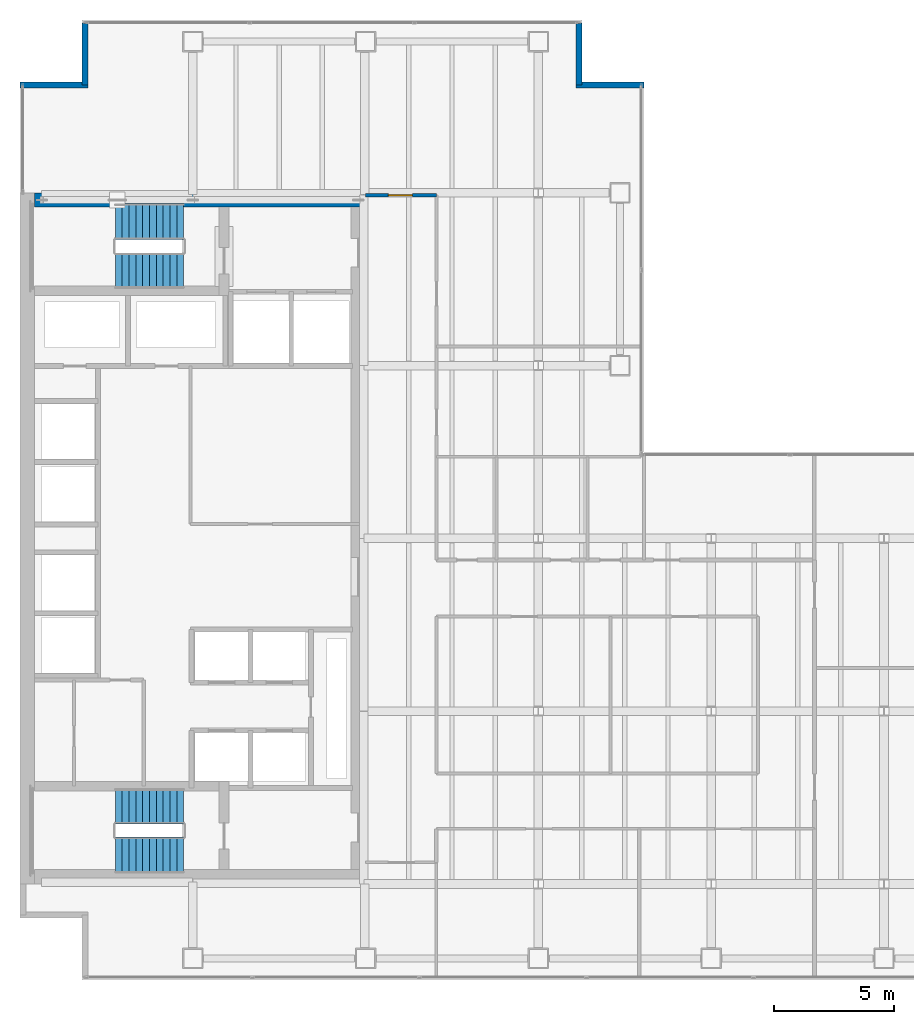
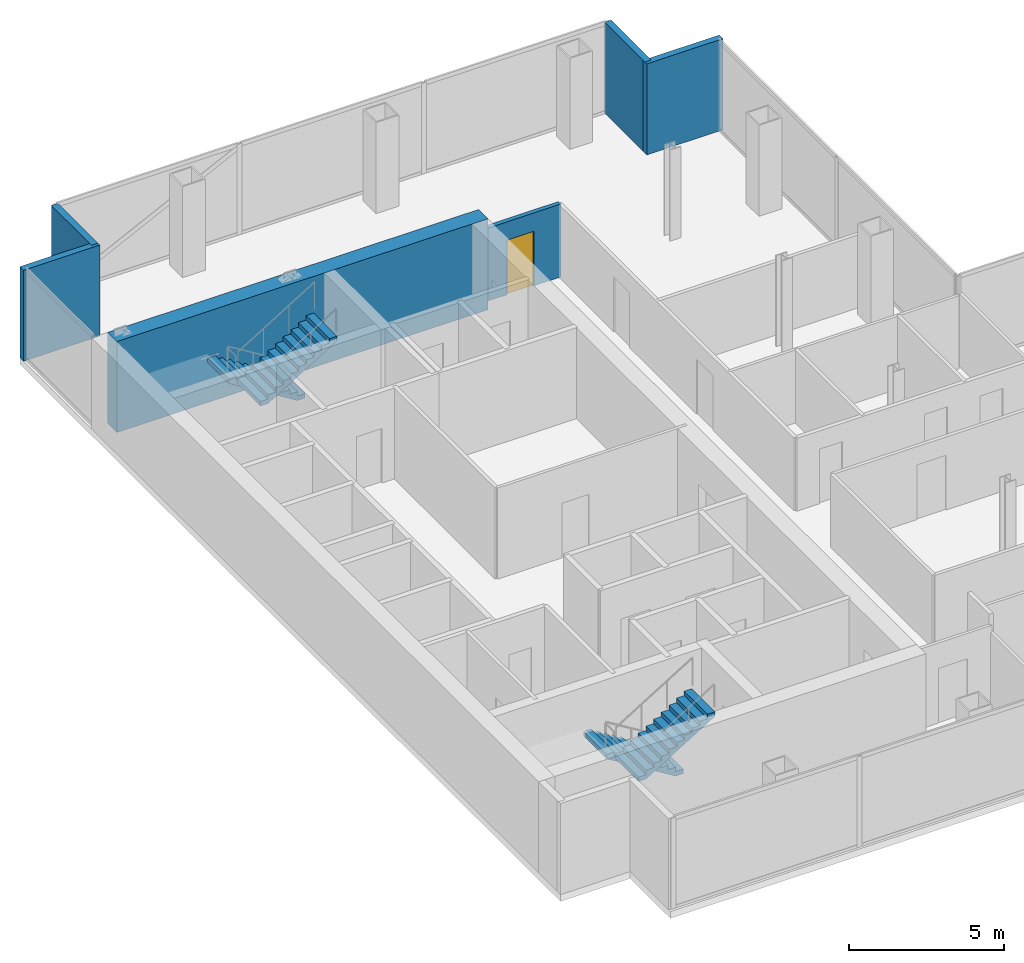
# One storey, part 22 of 23: 6 walls, 4 stair flights, 1 door, 1 opening, 2 elements without a shape of their own.
"""IFC4 building model written with IfcOpenShell, lengths in metres."""

import ifcopenshell
import ifcopenshell.guid

model = None  # the IFC model being written
_history = None  # IfcOwnerHistory: only IFC2X3 demands one
_inside = {}  # id of a spatial element -> (the spatial element, [elements in it])
_under = {}  # id of a project, library or spatial element -> (it, [spatial elements below it])
_declared = {}  # id of a project -> (the project, [libraries it declares])
_typed = {}  # id of a type object -> (the type object, [elements of that type])
_made_of = {}  # id of a material, layer set ... -> (it, [elements and type objects made of it])


def new_model(schema):
    """Start an empty IFC model of exactly this schema.

    Asked for "IFC4X3", IfcOpenShell would pick the latest addendum, in which some entities
    have other attributes; the version numbers below select the first issue.
    IFC2X3 requires an IfcOwnerHistory on every rooted entity: one is made here for all.
    """
    global model, _history
    if schema == "IFC4X3":
        model = ifcopenshell.file(schema_version=(4, 3, 0, 0))
    else:
        model = ifcopenshell.file(schema=schema)
    _inside.clear()
    _under.clear()
    _declared.clear()
    _typed.clear()
    _made_of.clear()
    _history = None
    if model.schema == "IFC2X3":
        org = make("IfcOrganization", Name="unknown")
        user = make(
            "IfcPersonAndOrganization",
            ThePerson=make("IfcPerson", FamilyName="unknown"),
            TheOrganization=org,
        )
        app = make(
            "IfcApplication",
            ApplicationDeveloper=org,
            Version="unknown",
            ApplicationFullName="unknown",
            ApplicationIdentifier="unknown",
        )
        _history = make(
            "IfcOwnerHistory",
            OwningUser=user,
            OwningApplication=app,
            ChangeAction="ADDED",
            CreationDate=0,
        )
    return model


def make(cls, **values):
    """One entity of the class cls with the attributes given. An attribute that is None is left unset."""
    return model.create_entity(
        cls, **{name: value for name, value in values.items() if value is not None}
    )


def rooted(cls, **values):
    """An entity with a GlobalId (a new one), such as an element, a storey or a relation."""
    return make(cls, GlobalId=ifcopenshell.guid.new(), OwnerHistory=_history, **values)


def si_unit(unit_type, name, prefix=None):
    """IfcSIUnit, for example si_unit("LENGTHUNIT", "METRE", prefix="MILLI")."""
    return make("IfcSIUnit", UnitType=unit_type, Prefix=prefix, Name=name)


def assignment(units):
    """IfcUnitAssignment: the units of a project."""
    return None if units is None else make("IfcUnitAssignment", Units=units)


def point(xyz):
    """IfcCartesianPoint."""
    return None if xyz is None else make("IfcCartesianPoint", Coordinates=xyz)


def direction(xyz):
    """IfcDirection."""
    return None if xyz is None else make("IfcDirection", DirectionRatios=xyz)


def frame(location, z_axis=None, x_axis=None):
    """IfcAxis2Placement3D, a coordinate frame: its origin and axes. An axis left out is left unset."""
    return make(
        "IfcAxis2Placement3D",
        Location=point(location),
        Axis=direction(z_axis),
        RefDirection=direction(x_axis),
    )


def frame_2d(location, x_axis=None):
    """IfcAxis2Placement2D, a coordinate frame in the plane: its origin and x axis."""
    return make(
        "IfcAxis2Placement2D", Location=point(location), RefDirection=direction(x_axis)
    )


def origin():
    """The frame at (0, 0, 0) with its axes left unset."""
    return frame((0.0, 0.0, 0.0))


def place(relative_to, where):
    """IfcLocalPlacement: puts the frame where relative to a parent placement (None: the world)."""
    return make(
        "IfcLocalPlacement", PlacementRelTo=relative_to, RelativePlacement=where
    )


def context(
    kind, dimensions, precision=None, world=None, true_north=None, identifier=None
):
    """IfcGeometricRepresentationContext, for example the 3D "Model" context."""
    return make(
        "IfcGeometricRepresentationContext",
        ContextIdentifier=identifier,
        ContextType=kind,
        CoordinateSpaceDimension=dimensions,
        Precision=precision,
        WorldCoordinateSystem=world,
        TrueNorth=true_north,
    )


def subcontext(parent, identifier, kind, view, scale=None):
    """IfcGeometricRepresentationSubContext, for example "Body" below "Model"."""
    return make(
        "IfcGeometricRepresentationSubContext",
        ContextIdentifier=identifier,
        ContextType=kind,
        ParentContext=parent,
        TargetScale=scale,
        TargetView=view,
    )


def project(units=None, contexts=None):
    """IfcProject with its units and contexts."""
    return rooted(
        "IfcProject",
        Name="project",
        RepresentationContexts=contexts,
        UnitsInContext=assignment(units),
    )


def spatial(cls, under=None, at=None, **own):
    """A site, building, storey or space (cls), placed at a placement, below another one or the project."""
    s = rooted(cls, ObjectPlacement=at, **own)
    if under is not None:
        _under.setdefault(under.id(), (under, []))[1].append(s)
    return s


def polyline(points):
    """IfcPolyline through the points."""
    return make("IfcPolyline", Points=[point(p) for p in points])


def profile(cls, at=None, kind="AREA", **sizes):
    """A parametric profile (cls). Its sizes go by their IFC names, for example OverallWidth=200.0."""
    return make(cls, ProfileType=kind, Position=at, **sizes)


def rectangle(**sizes):
    """IfcRectangleProfileDef."""
    return profile("IfcRectangleProfileDef", **sizes)


def outline(outer, holes=None, kind="AREA"):
    """IfcArbitraryClosedProfileDef: a profile drawn as a closed curve; with holes, ...WithVoids."""
    if holes is None:
        return make("IfcArbitraryClosedProfileDef", ProfileType=kind, OuterCurve=outer)
    return make(
        "IfcArbitraryProfileDefWithVoids",
        ProfileType=kind,
        OuterCurve=outer,
        InnerCurves=holes,
    )


def extrude(swept, where, along, depth):
    """IfcExtrudedAreaSolid: the profile swept, set in the frame where, extruded along a direction by depth."""
    return make(
        "IfcExtrudedAreaSolid",
        SweptArea=swept,
        Position=where,
        ExtrudedDirection=direction(along),
        Depth=depth,
    )


def shape(context_of_items, identifier, shape_type, items):
    """IfcShapeRepresentation: the items that make up one representation, for example the "Body"."""
    return make(
        "IfcShapeRepresentation",
        ContextOfItems=context_of_items,
        RepresentationIdentifier=identifier,
        RepresentationType=shape_type,
        Items=items,
    )


def material(Name=None, Category=None):
    """IfcMaterial."""
    return make("IfcMaterial", Name=Name, Category=Category)


def layer(
    of_material, thickness, ventilated=None, Name=None, Category=None, Priority=None
):
    """IfcMaterialLayer: one layer of a wall or slab, of a material (None: an air gap)."""
    return make(
        "IfcMaterialLayer",
        Material=of_material,
        LayerThickness=thickness,
        IsVentilated=ventilated,
        Name=Name,
        Category=Category,
        Priority=Priority,
    )


def layer_set(layers, Name=None):
    """IfcMaterialLayerSet."""
    return make("IfcMaterialLayerSet", MaterialLayers=layers, LayerSetName=Name)


def made_of(thing, what):
    """Note that an element or type object is made of a material, layer set ...; save() writes the relation."""
    if what is not None:
        _made_of.setdefault(what.id(), (what, []))[1].append(thing)
    return thing


def type_object(cls, material=None, **own):
    """A type object (cls), such as IfcWallType, which elements share."""
    return made_of(rooted(cls, **own), material)


def element(
    cls,
    number,
    at=None,
    inside=None,
    cuts=None,
    type_object=None,
    material=None,
    context=None,
    identifier="Body",
    shape_type=None,
    held_by="IfcProductDefinitionShape",
    body=None,
    shapes=None,
    **own,
):
    """One element of the class cls, such as IfcWall. Its Tag is "e" and its number.

    at: its placement. inside: the storey or other place that contains it. cuts: it is an
    opening in that element (IfcRelVoidsElement). A single representation is given by context,
    identifier, shape_type and body (its items); several are given by shapes. held_by: the class
    of the entity that holds the representations. save() writes the other relations.
    """
    e = rooted(cls, Tag="e%d" % number, ObjectPlacement=at, **own)
    if body is not None:
        shapes = [shape(context, identifier, shape_type, body)]
    if shapes is not None:
        e.Representation = make(held_by, Representations=shapes)
    if inside is not None:
        _inside.setdefault(inside.id(), (inside, []))[1].append(e)
    if cuts is not None:
        rooted(
            "IfcRelVoidsElement", RelatingBuildingElement=cuts, RelatedOpeningElement=e
        )
    if type_object is not None:
        _typed.setdefault(type_object.id(), (type_object, []))[1].append(e)
    return made_of(e, material)


def fill(opening, filler):
    """IfcRelFillsElement: the door or window that sits in an opening."""
    return rooted(
        "IfcRelFillsElement",
        RelatingOpeningElement=opening,
        RelatedBuildingElement=filler,
    )


def aggregate(whole, parts):
    """IfcRelAggregates: a whole, such as a stair, and the parts it consists of."""
    return rooted("IfcRelAggregates", RelatingObject=whole, RelatedObjects=parts)


def save(model, path):
    """Write the relations noted so far, then the file.

    IfcRelAggregates (storeys below a building ...), IfcRelContainedInSpatialStructure (elements
    in a storey), IfcRelDefinesByType, IfcRelAssociatesMaterial and IfcRelDeclares: one each for
    every whole, place, type object, material and project.
    """
    for whole, parts in _under.values():
        aggregate(whole, parts)
    for where, things in _inside.values():
        rooted(
            "IfcRelContainedInSpatialStructure",
            RelatedElements=things,
            RelatingStructure=where,
        )
    for kind, things in _typed.values():
        rooted("IfcRelDefinesByType", RelatedObjects=things, RelatingType=kind)
    for what, things in _made_of.values():
        rooted("IfcRelAssociatesMaterial", RelatedObjects=things, RelatingMaterial=what)
    for by, libraries in _declared.values():
        rooted("IfcRelDeclares", RelatingContext=by, RelatedDefinitions=libraries)
    model.write(path)


model = new_model("IFC4")

# Units and contexts
model_context = context("Model", 3, precision=1e-05, world=origin(), true_north=direction((0.0, 1.0)))
body_context = subcontext(model_context, "Body", "Model", "MODEL_VIEW")
ifc_project = project(units=[si_unit("LENGTHUNIT", "METRE"), si_unit("AREAUNIT", "SQUARE_METRE"), si_unit("VOLUMEUNIT", "CUBIC_METRE"), si_unit("PLANEANGLEUNIT", "RADIAN"), si_unit("MASSUNIT", "GRAM", prefix="KILO")], contexts=[model_context])

# Site, building, storey
site_placement = place(None, origin())
site = spatial("IfcSite", under=ifc_project, at=site_placement, CompositionType="ELEMENT")
building_placement = place(site_placement, origin())
building = spatial("IfcBuilding", under=site, at=building_placement, Name="Cobrela Telecom Tower", CompositionType="ELEMENT")
storey_placement = place(building_placement, frame((0.0, 0.0, 148.39990234375)))
storey = spatial("IfcBuildingStorey", under=building, at=storey_placement, Name="L37", CompositionType="ELEMENT", Elevation=148.39990234375)

# Walls
ifc_material_1 = material(Name="Concrete C50/60", Category="concrete")
ifc_layer_1 = layer(ifc_material_1, 0.60009765625)
ifc_layer_set_1 = layer_set([ifc_layer_1], Name="Concrete C50/60")
wall_type_1 = type_object("IfcWallType", Name="WALL-CORE-C50-600", PredefinedType="SHEAR", material=ifc_layer_set_1)
wall_1_placement = place(storey_placement, frame((0.60009765625, 35.699951171875, 0.0), z_axis=(0.0, 0.0, 1.0), x_axis=(1.0, 0.0, 0.0)))
element("IfcWall", 1, at=wall_1_placement, inside=storey, type_object=wall_type_1, Name="L37 North Core Shear Wall", PredefinedType="SHEAR", context=body_context, shape_type="SweptSolid", body=[
    extrude(rectangle(XDim=13.7998046875, YDim=0.60009765625, at=frame_2d((6.89990234375, 0.0))), origin(), (0.0, 0.0, 1.0), 3.580078125),
])
ifc_material_2 = material(Name="Concrete C40/50", Category="concrete")
ifc_layer_2 = layer(ifc_material_2, 0.239990234375)
ifc_layer_set_2 = layer_set([ifc_layer_2], Name="Concrete C40/50")
wall_type_2 = type_object("IfcWallType", Name="WALL-EXT-300", PredefinedType="STANDARD", material=ifc_layer_set_2)
wall_2_placement = place(storey_placement, frame((0.0, 40.489990234375, 0.0), z_axis=(0.0, 0.0, 1.0), x_axis=(1.0, 0.0, 0.0)))
element("IfcWall", 2, at=wall_2_placement, inside=storey, type_object=wall_type_2, Name="L37 Insulated Facade Wall 05", PredefinedType="STANDARD", context=body_context, shape_type="SweptSolid", body=[
    extrude(rectangle(XDim=2.830078125, YDim=0.239990234375, at=frame_2d((1.4150390625, 0.0))), origin(), (0.0, 0.0, 1.0), 3.580078125),
])
for number, where, z_axis, x_axis, name in (
    (3, (2.7099609375, 40.489990234375, 0.0), (0.0, 0.0, 1.0), (0.0, 1.0, 0.0), "L37 Insulated Facade Wall 06"),
    (4, (23.2900390625, 43.080078125, 0.0), (0.0, 0.0, 1.0), (0.0, -1.0, 0.0), "L37 Insulated Facade Wall 08"),
):
    element("IfcWall", number, at=place(storey_placement, frame(where, z_axis=z_axis, x_axis=x_axis)), inside=storey, type_object=wall_type_2, Name=name, PredefinedType="STANDARD", context=body_context, shape_type="SweptSolid", body=[
        extrude(rectangle(XDim=2.590087890625, YDim=0.239990234375, at=frame_2d((1.294921875, 0.0))), origin(), (0.0, 0.0, 1.0), 3.580078125),
    ])
wall_3_placement = place(storey_placement, frame((23.169921875, 40.489990234375, 0.0), z_axis=(0.0, 0.0, 1.0), x_axis=(1.0, 0.0, 0.0)))
element("IfcWall", 5, at=wall_3_placement, inside=storey, type_object=wall_type_2, Name="L37 Insulated Facade Wall 09", PredefinedType="STANDARD", context=body_context, shape_type="SweptSolid", body=[
    extrude(rectangle(XDim=2.830078125, YDim=0.239990234375, at=frame_2d((1.4150390625, 0.0))), origin(), (0.0, 0.0, 1.0), 3.580078125),
])

# Wall, opening, door
ifc_material_3 = material(Name="Fire-Rated Gypsum Plasterboard")
ifc_layer_3 = layer(ifc_material_3, 0.159912109375)
ifc_layer_set_3 = layer_set([ifc_layer_3], Name="Fire-Rated Gypsum Plasterboard")
wall_type_3 = type_object("IfcWallType", Name="WALL-PART-160", PredefinedType="PARTITIONING", material=ifc_layer_set_3)
wall_4_placement = place(storey_placement, frame((14.39990234375, 35.89990234375, 0.0), z_axis=(0.0, 0.0, 1.0), x_axis=(1.0, 0.0, 0.0)))
wall_4 = element("IfcWall", 6, at=wall_4_placement, inside=storey, type_object=wall_type_3, Name="L37 Interior Partition W-UW-N0", PredefinedType="PARTITIONING", context=body_context, shape_type="SweptSolid", body=[
    extrude(rectangle(XDim=2.9501953125, YDim=0.159912109375, at=frame_2d((1.47509765625, 0.0))), origin(), (0.0, 0.0, 1.0), 2.869140625),
])
opening_placement = place(wall_4_placement, frame((0.949951171875, 0.0, 0.0)))
opening = element("IfcOpeningElement", 7, at=opening_placement, cuts=wall_4, Name="Opening DR-31", PredefinedType="OPENING", context=body_context, shape_type="SweptSolid", body=[
    extrude(rectangle(XDim=1.0, YDim=2.14990234375, at=frame_2d((0.5, 1.074951171875))), frame((0.0, 0.091796875, 0.0), z_axis=(0.0, -1.0, 0.0), x_axis=(1.0, 0.0, 0.0)), (0.0, 0.0, 1.0), 0.183837890625),
])
ifc_material_4 = material(Name="Solid Engineered Oak Timber", Category="wood")
door_type = type_object("IfcDoorType", Name="DOOR-INT-1000", OperationType="SINGLE_SWING_LEFT", PredefinedType="DOOR", material=ifc_material_4)
door_placement = place(opening_placement, origin())
door = element("IfcDoor", 8, at=door_placement, inside=storey, type_object=door_type, Name="L37 Door DR-31", OperationType="SINGLE_SWING_LEFT", OverallHeight=2.14990234375, OverallWidth=1.0, PredefinedType="DOOR", context=body_context, shape_type="SweptSolid", body=[
    extrude(rectangle(XDim=1.0, YDim=2.14990234375, at=frame_2d((0.5, 1.074951171875))), frame((0.0, 0.02490234375, 0.0), z_axis=(0.0, -1.0, 0.0), x_axis=(1.0, 0.0, 0.0)), (0.0, 0.0, 1.0), 0.050048828125),
])
fill(opening, door)

# Stair, stair flights
stair_type = type_object("IfcStairType", Name="STAIR-CORE", PredefinedType="HALF_TURN_STAIR", material=ifc_material_2)
stair_1_placement = place(storey_placement, origin())
stair_1 = element("IfcStair", 9, at=stair_1_placement, inside=storey, type_object=stair_type, Name="L37 Smokeproof Exit Stair ST1", PredefinedType="HALF_TURN_STAIR")
stair_flight_type = type_object("IfcStairFlightType", Name="FLIGHT-CORE", PredefinedType="STRAIGHT", material=ifc_material_2)
stair_flight_1_placement = place(storey_placement, frame((6.820068359375, 34.800048828125, 0.0), z_axis=(0.0, 0.0, 1.0), x_axis=(-1.0, 0.0, 0.0)))
stair_flight_1 = element("IfcStairFlight", 10, at=stair_flight_1_placement, type_object=stair_flight_type, Name="ST1 flight 1", NumberOfRisers=11, NumberOfTreads=10, PredefinedType="STRAIGHT", RiserHeight=0.175, TreadLength=0.285, context=body_context, shape_type="SweptSolid", body=[
    extrude(outline(polyline([(0.0, 0.0), (0.0, 0.175048828125), (0.284912109375, 0.175048828125), (0.284912109375, 0.35009765625), (0.570068359375, 0.35009765625), (0.570068359375, 0.52490234375), (0.85498046875, 0.52490234375), (0.85498046875, 0.699951171875), (1.139892578125, 0.699951171875), (1.139892578125, 0.875), (1.425048828125, 0.875), (1.425048828125, 1.050048828125), (1.7099609375, 1.050048828125), (1.7099609375, 1.22509765625), (1.9951171875, 1.22509765625), (1.9951171875, 1.39990234375), (2.280029296875, 1.39990234375), (2.280029296875, 1.574951171875), (2.56494140625, 1.574951171875), (2.56494140625, 1.75), (2.85009765625, 1.75), (2.85009765625, 1.925048828125), (2.85009765625, 1.573974609375), (0.286376953125, 0.0), (0.0, 0.0)])), frame((0.0, 0.75, 0.0), z_axis=(0.0, -1.0, 0.0), x_axis=(1.0, 0.0, 0.0)), (0.0, 0.0, 1.0), 1.5),
])
stair_flight_2_placement = place(storey_placement, frame((3.969970703125, 32.75, 1.925048828125), z_axis=(0.0, 0.0, 1.0), x_axis=(1.0, 0.0, 0.0)))
stair_flight_2 = element("IfcStairFlight", 11, at=stair_flight_2_placement, type_object=stair_flight_type, Name="ST1 flight 2", NumberOfRisers=11, NumberOfTreads=10, PredefinedType="STRAIGHT", RiserHeight=0.175, TreadLength=0.285, context=body_context, shape_type="SweptSolid", body=[
    extrude(outline(polyline([(0.0, 0.0), (0.0, 0.175048828125), (0.284912109375, 0.175048828125), (0.284912109375, 0.35009765625), (0.570068359375, 0.35009765625), (0.570068359375, 0.52490234375), (0.85498046875, 0.52490234375), (0.85498046875, 0.699951171875), (1.139892578125, 0.699951171875), (1.139892578125, 0.875), (1.425048828125, 0.875), (1.425048828125, 1.050048828125), (1.7099609375, 1.050048828125), (1.7099609375, 1.22509765625), (1.9951171875, 1.22509765625), (1.9951171875, 1.39990234375), (2.280029296875, 1.39990234375), (2.280029296875, 1.574951171875), (2.56494140625, 1.574951171875), (2.56494140625, 1.75), (2.85009765625, 1.75), (2.85009765625, 1.925048828125), (2.85009765625, 1.573974609375), (0.286376953125, 0.0), (0.0, 0.0)])), frame((0.0, 0.75, 0.0), z_axis=(0.0, -1.0, 0.0), x_axis=(1.0, 0.0, 0.0)), (0.0, 0.0, 1.0), 1.5),
])
aggregate(stair_1, [stair_flight_1, stair_flight_2])

stair_2_placement = place(storey_placement, origin())
stair_2 = element("IfcStair", 12, at=stair_2_placement, inside=storey, type_object=stair_type, Name="L37 Smokeproof Exit Stair ST2", PredefinedType="HALF_TURN_STAIR")
stair_flight_3_placement = place(storey_placement, frame((6.820068359375, 10.449951171875, 0.0), z_axis=(0.0, 0.0, 1.0), x_axis=(-1.0, 0.0, 0.0)))
stair_flight_3 = element("IfcStairFlight", 13, at=stair_flight_3_placement, type_object=stair_flight_type, Name="ST2 flight 1", NumberOfRisers=11, NumberOfTreads=10, PredefinedType="STRAIGHT", RiserHeight=0.175, TreadLength=0.285, context=body_context, shape_type="SweptSolid", body=[
    extrude(outline(polyline([(0.0, 0.0), (0.0, 0.175048828125), (0.284912109375, 0.175048828125), (0.284912109375, 0.35009765625), (0.570068359375, 0.35009765625), (0.570068359375, 0.52490234375), (0.85498046875, 0.52490234375), (0.85498046875, 0.699951171875), (1.139892578125, 0.699951171875), (1.139892578125, 0.875), (1.425048828125, 0.875), (1.425048828125, 1.050048828125), (1.7099609375, 1.050048828125), (1.7099609375, 1.22509765625), (1.9951171875, 1.22509765625), (1.9951171875, 1.39990234375), (2.280029296875, 1.39990234375), (2.280029296875, 1.574951171875), (2.56494140625, 1.574951171875), (2.56494140625, 1.75), (2.85009765625, 1.75), (2.85009765625, 1.925048828125), (2.85009765625, 1.573974609375), (0.286376953125, 0.0), (0.0, 0.0)])), frame((0.0, 0.75, 0.0), z_axis=(0.0, -1.0, 0.0), x_axis=(1.0, 0.0, 0.0)), (0.0, 0.0, 1.0), 1.5),
])
stair_flight_4_placement = place(storey_placement, frame((3.969970703125, 8.39990234375, 1.925048828125), z_axis=(0.0, 0.0, 1.0), x_axis=(1.0, 0.0, 0.0)))
stair_flight_4 = element("IfcStairFlight", 14, at=stair_flight_4_placement, type_object=stair_flight_type, Name="ST2 flight 2", NumberOfRisers=11, NumberOfTreads=10, PredefinedType="STRAIGHT", RiserHeight=0.175, TreadLength=0.285, context=body_context, shape_type="SweptSolid", body=[
    extrude(outline(polyline([(0.0, 0.0), (0.0, 0.175048828125), (0.284912109375, 0.175048828125), (0.284912109375, 0.35009765625), (0.570068359375, 0.35009765625), (0.570068359375, 0.52490234375), (0.85498046875, 0.52490234375), (0.85498046875, 0.699951171875), (1.139892578125, 0.699951171875), (1.139892578125, 0.875), (1.425048828125, 0.875), (1.425048828125, 1.050048828125), (1.7099609375, 1.050048828125), (1.7099609375, 1.22509765625), (1.9951171875, 1.22509765625), (1.9951171875, 1.39990234375), (2.280029296875, 1.39990234375), (2.280029296875, 1.574951171875), (2.56494140625, 1.574951171875), (2.56494140625, 1.75), (2.85009765625, 1.75), (2.85009765625, 1.925048828125), (2.85009765625, 1.573974609375), (0.286376953125, 0.0), (0.0, 0.0)])), frame((0.0, 0.75, 0.0), z_axis=(0.0, -1.0, 0.0), x_axis=(1.0, 0.0, 0.0)), (0.0, 0.0, 1.0), 1.5),
])
aggregate(stair_2, [stair_flight_3, stair_flight_4])

save(model, "model.ifc")
